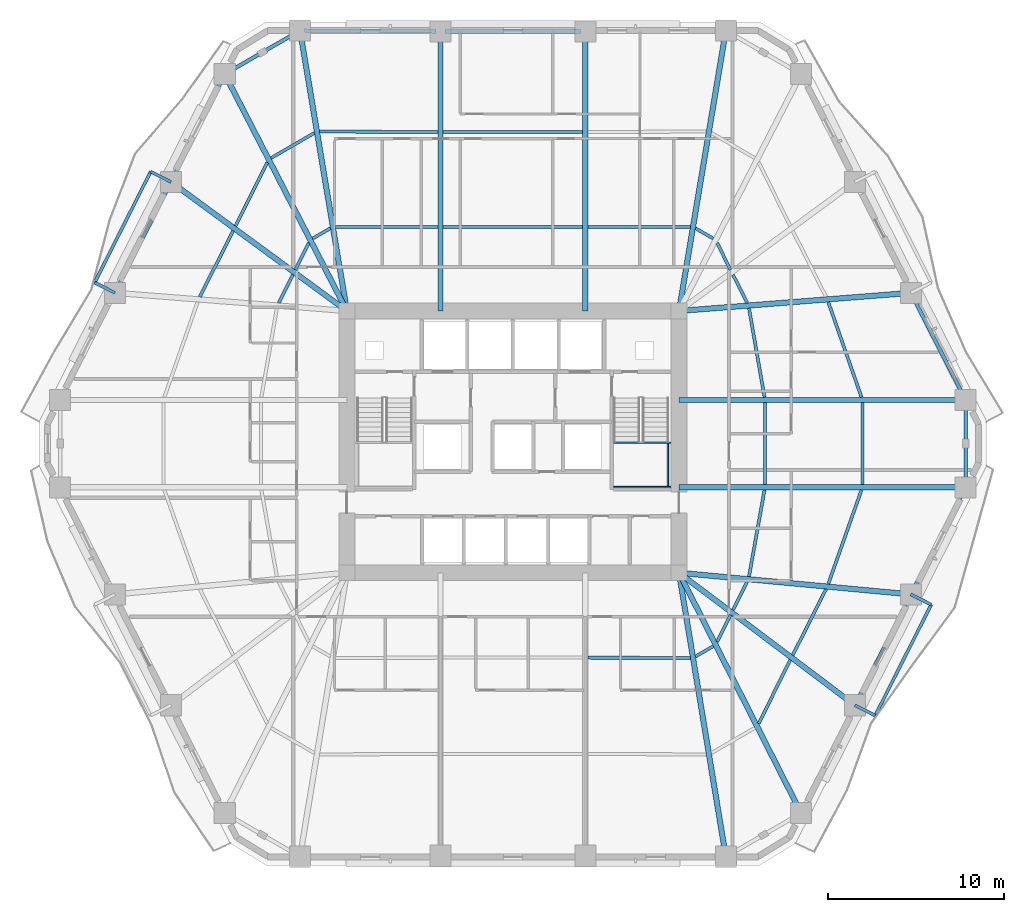
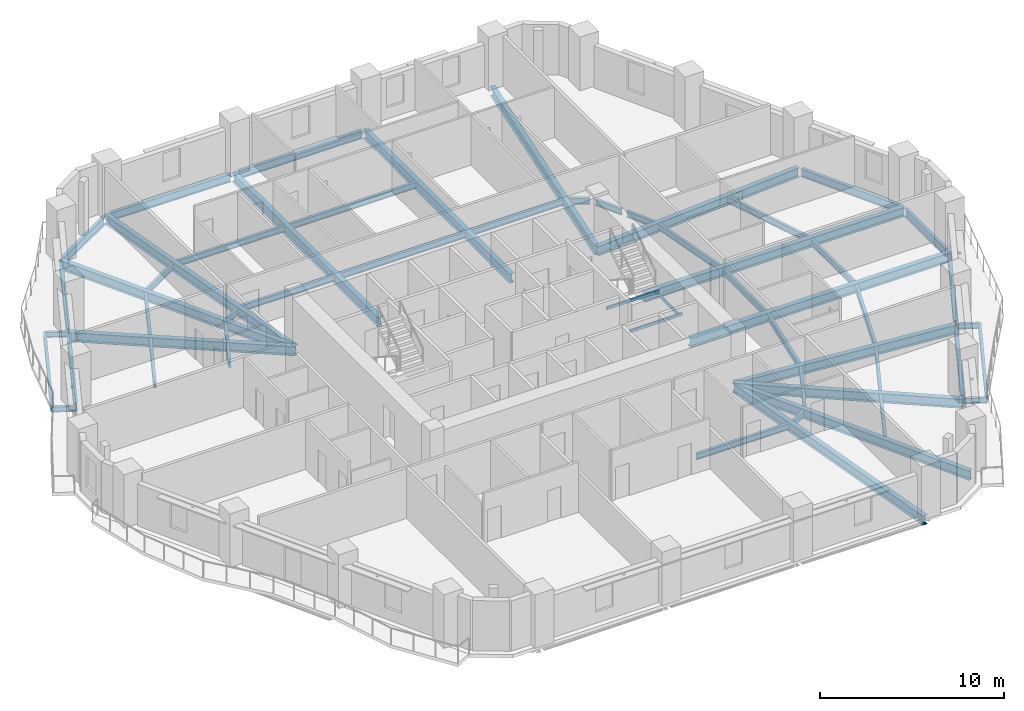
# One storey, part 2 of 14: 57 beams.
"""IFC4 building model written with IfcOpenShell, lengths in metres."""

from ifc_helpers import new_model, si_unit, direction, frame, origin, origin_2d, place, context, subcontext, project, spatial, hollow_rectangle, i_section, extrude, material, material_profile, profile_set, type_object, element, save


model = new_model("IFC4")

# Units and contexts
model_context = context("Model", 3, precision=1e-05, world=origin(), true_north=direction((0.0, 1.0)))
body_context = subcontext(model_context, "Body", "Model", "MODEL_VIEW")
ifc_project = project(units=[si_unit("LENGTHUNIT", "METRE"), si_unit("AREAUNIT", "SQUARE_METRE"), si_unit("VOLUMEUNIT", "CUBIC_METRE"), si_unit("PLANEANGLEUNIT", "RADIAN"), si_unit("MASSUNIT", "GRAM", prefix="KILO")], contexts=[model_context])

# Site, building, storey
site_placement = place(None, origin())
site = spatial("IfcSite", under=ifc_project, at=site_placement, CompositionType="ELEMENT")
building_placement = place(site_placement, origin())
building = spatial("IfcBuilding", under=site, at=building_placement, Name="Cinnabar Lancet Tower", CompositionType="ELEMENT")
storey_placement = place(building_placement, frame((0.0, 0.0, 39.10009765625)))
storey = spatial("IfcBuildingStorey", under=building, at=storey_placement, Name="L09", CompositionType="ELEMENT", Elevation=39.10009765625)

# Beams
ifc_material_1 = material(Name="Structural steel S355", Category="steel")
ifc_material_profile_1 = material_profile(ifc_material_1, i_section(OverallWidth=0.177978515625, OverallDepth=0.406494140625, WebThickness=0.0078125, FlangeThickness=0.0126953125, FilletRadius=0.01025390625, at=origin_2d()), Name="UKB 406x178x60")
ifc_profile_set_1 = profile_set([ifc_material_profile_1], Name="Structural steel S355")
beam_type_1 = type_object("IfcBeamType", Name="STR-BM-JST-406", PredefinedType="JOIST", material=ifc_profile_set_1)
beam_1_placement = place(storey_placement, frame((36.676025390625, 13.616943359375, -0.423095703125), z_axis=(0.999996723732, -0.002559790187, 0.0), x_axis=(0.002559790187, 0.999996723732, 0.0)))
element("IfcBeam", 1, at=beam_1_placement, inside=storey, type_object=beam_type_1, Name="L09 Secondary Floor Joist 14", PredefinedType="JOIST", context=body_context, shape_type="SweptSolid", body=[
    extrude(i_section(OverallWidth=0.177978515625, OverallDepth=0.406494140625, WebThickness=0.0078125, FlangeThickness=0.0126953125, FilletRadius=0.01025390625, at=origin_2d()), origin(), (0.0, 0.0, 1.0), 5.81787109375),
])
beam_2_placement = place(storey_placement, frame((42.7919921875, 13.68408203125, -0.423095703125), z_axis=(0.865192550274, 0.50143977799, 0.0), x_axis=(-0.50143977799, 0.865192550274, 0.0)))
element("IfcBeam", 2, at=beam_2_placement, inside=storey, type_object=beam_type_1, Name="L09 Secondary Floor Joist 16", PredefinedType="JOIST", context=body_context, shape_type="SweptSolid", body=[
    extrude(i_section(OverallWidth=0.177978515625, OverallDepth=0.406494140625, WebThickness=0.0078125, FlangeThickness=0.0126953125, FilletRadius=0.01025390625, at=origin_2d()), origin(), (0.0, 0.0, 1.0), 1.16845703125),
])
beam_3_placement = place(storey_placement, frame((46.385009765625, 9.867919921875, -0.423095703125), z_axis=(0.445835127839, 0.895115098065, 0.0), x_axis=(-0.895115098065, 0.445835127839, 0.0)))
element("IfcBeam", 3, at=beam_3_placement, inside=storey, type_object=beam_type_1, Name="L09 Secondary Floor Joist 17", PredefinedType="JOIST", context=body_context, shape_type="SweptSolid", body=[
    extrude(i_section(OverallWidth=0.177978515625, OverallDepth=0.406494140625, WebThickness=0.0078125, FlangeThickness=0.0126953125, FilletRadius=0.01025390625, at=origin_2d()), origin(), (0.0, 0.0, 1.0), 4.03955078125),
])
beam_4_placement = place(storey_placement, frame((44.02099609375, 14.51806640625, -0.423095703125), z_axis=(0.44578468599, 0.895140220154, 0.0), x_axis=(-0.895140220154, 0.44578468599, 0.0)))
element("IfcBeam", 4, at=beam_4_placement, inside=storey, type_object=beam_type_1, Name="L09 Secondary Floor Joist 18", PredefinedType="JOIST", context=body_context, shape_type="SweptSolid", body=[
    extrude(i_section(OverallWidth=0.177978515625, OverallDepth=0.406494140625, WebThickness=0.0078125, FlangeThickness=0.0126953125, FilletRadius=0.01025390625, at=origin_2d()), origin(), (0.0, 0.0, 1.0), 1.709228515625),
])
beam_5_placement = place(storey_placement, frame((48.325927734375, 13.762939453125, -0.423095703125), z_axis=(0.450717414682, 0.892666685893, 0.0), x_axis=(-0.892666685893, 0.450717414682, 0.0)))
element("IfcBeam", 5, at=beam_5_placement, inside=storey, type_object=beam_type_1, Name="L09 Secondary Floor Joist 19", PredefinedType="JOIST", context=body_context, shape_type="SweptSolid", body=[
    extrude(i_section(OverallWidth=0.177978515625, OverallDepth=0.406494140625, WebThickness=0.0078125, FlangeThickness=0.0126953125, FilletRadius=0.01025390625, at=origin_2d()), origin(), (0.0, 0.0, 1.0), 4.204345703125),
])
beam_6_placement = place(storey_placement, frame((44.923095703125, 16.326904296875, -0.423095703125), z_axis=(0.450411488104, 0.892821085875, 0.0), x_axis=(-0.892821085875, 0.450411488104, 0.0)))
element("IfcBeam", 6, at=beam_6_placement, inside=storey, type_object=beam_type_1, Name="L09 Secondary Floor Joist 20", PredefinedType="JOIST", context=body_context, shape_type="SweptSolid", body=[
    extrude(i_section(OverallWidth=0.177978515625, OverallDepth=0.406494140625, WebThickness=0.0078125, FlangeThickness=0.0126953125, FilletRadius=0.01025390625, at=origin_2d()), origin(), (0.0, 0.0, 1.0), 1.800048828125),
])
beam_7_placement = place(storey_placement, frame((50.347900390625, 17.81201171875, -0.423095703125), z_axis=(0.333387390151, 0.942789927867, 0.0), x_axis=(-0.942789927867, 0.333387390151, 0.0)))
element("IfcBeam", 7, at=beam_7_placement, inside=storey, type_object=beam_type_1, Name="L09 Secondary Floor Joist 21", PredefinedType="JOIST", context=body_context, shape_type="SweptSolid", body=[
    extrude(i_section(OverallWidth=0.177978515625, OverallDepth=0.406494140625, WebThickness=0.0078125, FlangeThickness=0.0126953125, FilletRadius=0.01025390625, at=origin_2d()), origin(), (0.0, 0.0, 1.0), 5.67236328125),
])
beam_8_placement = place(storey_placement, frame((45.8359375, 18.23291015625, -0.423095703125), z_axis=(0.176227857104, 0.984349400559, 0.0), x_axis=(-0.984349400559, 0.176227857104, 0.0)))
element("IfcBeam", 8, at=beam_8_placement, inside=storey, type_object=beam_type_1, Name="L09 Secondary Floor Joist 22", PredefinedType="JOIST", context=body_context, shape_type="SweptSolid", body=[
    extrude(i_section(OverallWidth=0.177978515625, OverallDepth=0.406494140625, WebThickness=0.0078125, FlangeThickness=0.0126953125, FilletRadius=0.01025390625, at=origin_2d()), origin(), (0.0, 0.0, 1.0), 5.00537109375),
])
for number, where, z_axis, x_axis, name in (
    (9, (52.2939453125, 23.468017578125, -0.423095703125), (0.0, 1.0, 0.0), (-1.0, 0.0, 0.0), "L09 Secondary Floor Joist 23"),
    (10, (46.7451171875, 23.468017578125, -0.423095703125), (0.0, 1.0, 0.0), (-1.0, 0.0, 0.0), "L09 Secondary Floor Joist 24"),
):
    element("IfcBeam", number, at=place(storey_placement, frame(where, z_axis=z_axis, x_axis=x_axis)), inside=storey, type_object=beam_type_1, Name=name, PredefinedType="JOIST", context=body_context, shape_type="SweptSolid", body=[
        extrude(i_section(OverallWidth=0.177978515625, OverallDepth=0.406494140625, WebThickness=0.0078125, FlangeThickness=0.0126953125, FilletRadius=0.01025390625, at=origin_2d()), origin(), (0.0, 0.0, 1.0), 4.6640625),
    ])
beam_9_placement = place(storey_placement, frame((52.239990234375, 28.43994140625, -0.423095703125), z_axis=(-0.329645522599, 0.944104776723, 0.0), x_axis=(-0.944104776723, -0.329645522599, 0.0)))
element("IfcBeam", 11, at=beam_9_placement, inside=storey, type_object=beam_type_1, Name="L09 Secondary Floor Joist 25", PredefinedType="JOIST", context=body_context, shape_type="SweptSolid", body=[
    extrude(i_section(OverallWidth=0.177978515625, OverallDepth=0.406494140625, WebThickness=0.0078125, FlangeThickness=0.0126953125, FilletRadius=0.01025390625, at=origin_2d()), origin(), (0.0, 0.0, 1.0), 5.73974609375),
])
beam_10_placement = place(storey_placement, frame((46.718994140625, 28.43994140625, -0.423095703125), z_axis=(-0.171867959611, 0.985119994954, 0.0), x_axis=(-0.985119994954, -0.171867959611, 0.0)))
element("IfcBeam", 12, at=beam_10_placement, inside=storey, type_object=beam_type_1, Name="L09 Secondary Floor Joist 26", PredefinedType="JOIST", context=body_context, shape_type="SweptSolid", body=[
    extrude(i_section(OverallWidth=0.177978515625, OverallDepth=0.406494140625, WebThickness=0.0078125, FlangeThickness=0.0126953125, FilletRadius=0.01025390625, at=origin_2d()), origin(), (0.0, 0.0, 1.0), 5.1435546875),
])
beam_11_placement = place(storey_placement, frame((45.73388671875, 33.806884765625, -0.423095703125), z_axis=(-0.450629740029, 0.892710948405, 0.0), x_axis=(-0.892710948405, -0.450629740029, 0.0)))
element("IfcBeam", 13, at=beam_11_placement, inside=storey, type_object=beam_type_1, Name="L09 Secondary Floor Joist 28", PredefinedType="JOIST", context=body_context, shape_type="SweptSolid", body=[
    extrude(i_section(OverallWidth=0.177978515625, OverallDepth=0.406494140625, WebThickness=0.0078125, FlangeThickness=0.0126953125, FilletRadius=0.01025390625, at=origin_2d()), origin(), (0.0, 0.0, 1.0), 1.79931640625),
])
beam_12_placement = place(storey_placement, frame((44.782958984375, 35.69189453125, -0.423095703125), z_axis=(-0.445556802404, 0.895253671219, 0.0), x_axis=(-0.895253671219, -0.445556802404, 0.0)))
element("IfcBeam", 14, at=beam_12_placement, inside=storey, type_object=beam_type_1, Name="L09 Secondary Floor Joist 30", PredefinedType="JOIST", context=body_context, shape_type="SweptSolid", body=[
    extrude(i_section(OverallWidth=0.177978515625, OverallDepth=0.406494140625, WebThickness=0.0078125, FlangeThickness=0.0126953125, FilletRadius=0.01025390625, at=origin_2d()), origin(), (0.0, 0.0, 1.0), 1.710205078125),
])
beam_13_placement = place(storey_placement, frame((43.802978515625, 37.469970703125, -0.423095703125), z_axis=(-0.865192550274, 0.50143977799, 0.0), x_axis=(-0.50143977799, -0.865192550274, 0.0)))
element("IfcBeam", 15, at=beam_13_placement, inside=storey, type_object=beam_type_1, Name="L09 Secondary Floor Joist 32", PredefinedType="JOIST", context=body_context, shape_type="SweptSolid", body=[
    extrude(i_section(OverallWidth=0.177978515625, OverallDepth=0.406494140625, WebThickness=0.0078125, FlangeThickness=0.0126953125, FilletRadius=0.01025390625, at=origin_2d()), origin(), (0.0, 0.0, 1.0), 1.16845703125),
])
beam_14_placement = place(storey_placement, frame((42.493896484375, 38.137939453125, -0.423095703125), z_axis=(-0.999996723732, -0.002559790187, 0.0), x_axis=(0.002559790187, -0.999996723732, 0.0)))
element("IfcBeam", 16, at=beam_14_placement, inside=storey, type_object=beam_type_1, Name="L09 Secondary Floor Joist 34", PredefinedType="JOIST", context=body_context, shape_type="SweptSolid", body=[
    extrude(i_section(OverallWidth=0.177978515625, OverallDepth=0.406494140625, WebThickness=0.0078125, FlangeThickness=0.0126953125, FilletRadius=0.01025390625, at=origin_2d()), origin(), (0.0, 0.0, 1.0), 5.81787109375),
])
for number, where, z_axis, x_axis, name in (
    (17, (36.367919921875, 43.531005859375, -0.423095703125), (-1.0, 0.0, 0.0), (0.0, -1.0, 0.0), "L09 Secondary Floor Joist 35"),
    (18, (36.367919921875, 38.1220703125, -0.423095703125), (-1.0, 0.0, 0.0), (0.0, -1.0, 0.0), "L09 Secondary Floor Joist 36"),
):
    element("IfcBeam", number, at=place(storey_placement, frame(where, z_axis=z_axis, x_axis=x_axis)), inside=storey, type_object=beam_type_1, Name=name, PredefinedType="JOIST", context=body_context, shape_type="SweptSolid", body=[
        extrude(i_section(OverallWidth=0.177978515625, OverallDepth=0.406494140625, WebThickness=0.0078125, FlangeThickness=0.0126953125, FilletRadius=0.01025390625, at=origin_2d()), origin(), (0.0, 0.0, 1.0), 7.93603515625),
    ])
beam_15_placement = place(storey_placement, frame((28.1240234375, 43.531982421875, -0.423095703125), z_axis=(-0.999988691939, 0.004755627628, 0.0), x_axis=(-0.004755627628, -0.999988691939, 0.0)))
element("IfcBeam", 19, at=beam_15_placement, inside=storey, type_object=beam_type_1, Name="L09 Secondary Floor Joist 37", PredefinedType="JOIST", context=body_context, shape_type="SweptSolid", body=[
    extrude(i_section(OverallWidth=0.177978515625, OverallDepth=0.406494140625, WebThickness=0.0078125, FlangeThickness=0.0126953125, FilletRadius=0.01025390625, at=origin_2d()), origin(), (0.0, 0.0, 1.0), 6.72509765625),
])
beam_16_placement = place(storey_placement, frame((28.1240234375, 38.123046875, -0.423095703125), z_axis=(-0.999996724007, 0.002559682773, 0.0), x_axis=(-0.002559682773, -0.999996724007, 0.0)))
element("IfcBeam", 20, at=beam_16_placement, inside=storey, type_object=beam_type_1, Name="L09 Secondary Floor Joist 38", PredefinedType="JOIST", context=body_context, shape_type="SweptSolid", body=[
    extrude(i_section(OverallWidth=0.177978515625, OverallDepth=0.406494140625, WebThickness=0.0078125, FlangeThickness=0.0126953125, FilletRadius=0.01025390625, at=origin_2d()), origin(), (0.0, 0.0, 1.0), 5.818115234375),
])
beam_17_placement = place(storey_placement, frame((21.10107421875, 43.48291015625, -0.423095703125), z_axis=(-0.865113631149, -0.50157592167, 0.0), x_axis=(0.50157592167, -0.865113631149, 0.0)))
element("IfcBeam", 21, at=beam_17_placement, inside=storey, type_object=beam_type_1, Name="L09 Secondary Floor Joist 39", PredefinedType="JOIST", context=body_context, shape_type="SweptSolid", body=[
    extrude(i_section(OverallWidth=0.177978515625, OverallDepth=0.406494140625, WebThickness=0.0078125, FlangeThickness=0.0126953125, FilletRadius=0.01025390625, at=origin_2d()), origin(), (0.0, 0.0, 1.0), 2.852783203125),
])
beam_18_placement = place(storey_placement, frame((22.008056640625, 38.055908203125, -0.423095703125), z_axis=(-0.865192550274, -0.50143977799, 0.0), x_axis=(0.50143977799, -0.865192550274, 0.0)))
element("IfcBeam", 22, at=beam_18_placement, inside=storey, type_object=beam_type_1, Name="L09 Secondary Floor Joist 40", PredefinedType="JOIST", context=body_context, shape_type="SweptSolid", body=[
    extrude(i_section(OverallWidth=0.177978515625, OverallDepth=0.406494140625, WebThickness=0.0078125, FlangeThickness=0.0126953125, FilletRadius=0.01025390625, at=origin_2d()), origin(), (0.0, 0.0, 1.0), 1.16845703125),
])
beam_19_placement = place(storey_placement, frame((18.4150390625, 41.804931640625, -0.423095703125), z_axis=(-0.445738672706, -0.895163133543, 0.0), x_axis=(0.895163133543, -0.445738672706, 0.0)))
element("IfcBeam", 23, at=beam_19_placement, inside=storey, type_object=beam_type_1, Name="L09 Secondary Floor Joist 41", PredefinedType="JOIST", context=body_context, shape_type="SweptSolid", body=[
    extrude(i_section(OverallWidth=0.177978515625, OverallDepth=0.406494140625, WebThickness=0.0078125, FlangeThickness=0.0126953125, FilletRadius=0.01025390625, at=origin_2d()), origin(), (0.0, 0.0, 1.0), 4.04052734375),
])
beam_20_placement = place(storey_placement, frame((20.779052734375, 37.222900390625, -0.423095703125), z_axis=(-0.445556802404, -0.895253671219, 0.0), x_axis=(0.895253671219, -0.445556802404, 0.0)))
element("IfcBeam", 24, at=beam_20_placement, inside=storey, type_object=beam_type_1, Name="L09 Secondary Floor Joist 42", PredefinedType="JOIST", context=body_context, shape_type="SweptSolid", body=[
    extrude(i_section(OverallWidth=0.177978515625, OverallDepth=0.406494140625, WebThickness=0.0078125, FlangeThickness=0.0126953125, FilletRadius=0.01025390625, at=origin_2d()), origin(), (0.0, 0.0, 1.0), 1.710205078125),
])
beam_21_placement = place(storey_placement, frame((16.47412109375, 37.908935546875, -0.423095703125), z_axis=(-0.450834254961, -0.89260768233, 0.0), x_axis=(0.89260768233, -0.450834254961, 0.0)))
element("IfcBeam", 25, at=beam_21_placement, inside=storey, type_object=beam_type_1, Name="L09 Secondary Floor Joist 43", PredefinedType="JOIST", context=body_context, shape_type="SweptSolid", body=[
    extrude(i_section(OverallWidth=0.177978515625, OverallDepth=0.406494140625, WebThickness=0.0078125, FlangeThickness=0.0126953125, FilletRadius=0.01025390625, at=origin_2d()), origin(), (0.0, 0.0, 1.0), 4.203369140625),
])
beam_22_placement = place(storey_placement, frame((19.876953125, 35.4130859375, -0.423095703125), z_axis=(-0.450737866707, -0.892656359142, 0.0), x_axis=(0.892656359142, -0.450737866707, 0.0)))
element("IfcBeam", 26, at=beam_22_placement, inside=storey, type_object=beam_type_1, Name="L09 Secondary Floor Joist 44", PredefinedType="JOIST", context=body_context, shape_type="SweptSolid", body=[
    extrude(i_section(OverallWidth=0.177978515625, OverallDepth=0.406494140625, WebThickness=0.0078125, FlangeThickness=0.0126953125, FilletRadius=0.01025390625, at=origin_2d()), origin(), (0.0, 0.0, 1.0), 1.79931640625),
])
ifc_material_2 = material(Name="Structural steel S355", Category="steel")
ifc_material_profile_2 = material_profile(ifc_material_2, hollow_rectangle(XDim=0.10009765625, YDim=0.199951171875, WallThickness=0.008056640625, InnerFilletRadius=0.00390625, OuterFilletRadius=0.011962890625, at=origin_2d()), Name="RHS 200x100x8")
ifc_profile_set_2 = profile_set([ifc_material_profile_2], Name="Structural steel S355")
beam_type_2 = type_object("IfcBeamType", Name="STR-BM-LND-203", PredefinedType="BEAM", material=ifc_profile_set_2)
for number, where, z_axis, x_axis, name in (
    (27, (38.1201171875, 23.330078125, 1.474853515625), (1.0, 0.0, 0.0), (0.0, 1.0, 0.0), "L09 ST-2-L09 Landing Support Beam S"),
    (28, (38.1201171875, 25.844970703125, 1.474853515625), (1.0, 0.0, 0.0), (0.0, 1.0, 0.0), "L09 ST-2-L09 Landing Support Beam N"),
):
    element("IfcBeam", number, at=place(storey_placement, frame(where, z_axis=z_axis, x_axis=x_axis)), inside=storey, type_object=beam_type_2, Name=name, PredefinedType="BEAM", context=body_context, shape_type="SweptSolid", body=[
        extrude(hollow_rectangle(XDim=0.10009765625, YDim=0.199951171875, WallThickness=0.008056640625, InnerFilletRadius=0.00390625, OuterFilletRadius=0.011962890625, at=origin_2d()), origin(), (0.0, 0.0, 1.0), 3.27978515625),
    ])
beam_23_placement = place(storey_placement, frame((41.219970703125, 23.3798828125, 1.474853515625), z_axis=(0.0, 1.0, 0.0), x_axis=(-1.0, 0.0, 0.0)))
element("IfcBeam", 29, at=beam_23_placement, inside=storey, type_object=beam_type_2, Name="L09 ST-2-L09 Landing Side Trimmer Beam", PredefinedType="BEAM", context=body_context, shape_type="SweptSolid", body=[
    extrude(hollow_rectangle(XDim=0.10009765625, YDim=0.199951171875, WallThickness=0.008056640625, InnerFilletRadius=0.00390625, OuterFilletRadius=0.011962890625, at=origin_2d()), origin(), (0.0, 0.0, 1.0), 2.4150390625),
])
ifc_material_3 = material(Name="Structural steel S355", Category="steel")
ifc_material_profile_3 = material_profile(ifc_material_3, i_section(OverallWidth=0.209228515625, OverallDepth=0.533203125, WebThickness=0.010009765625, FlangeThickness=0.015625, FilletRadius=0.0126953125, at=origin_2d()), Name="UKB 533x210x92")
ifc_profile_set_3 = profile_set([ifc_material_profile_3], Name="Structural steel S355")
beam_type_3 = type_object("IfcBeamType", Name="STR-BM-SPN-533", PredefinedType="SPANDREL", material=ifc_profile_set_3)
beam_24_placement = place(storey_placement, frame((51.971923828125, 11.132080078125, -0.487060546875), z_axis=(0.450703143926, 0.892673891214, 0.0), x_axis=(-0.892673891214, 0.450703143926, 0.0)))
element("IfcBeam", 30, at=beam_24_placement, inside=storey, type_object=beam_type_3, Name="L09 Perimeter Spandrel 6", PredefinedType="SPANDREL", context=body_context, shape_type="SweptSolid", body=[
    extrude(i_section(OverallWidth=0.209228515625, OverallDepth=0.533203125, WebThickness=0.010009765625, FlangeThickness=0.015625, FilletRadius=0.0126953125, at=origin_2d()), origin(), (0.0, 0.0, 1.0), 6.570068359375),
])
beam_25_placement = place(storey_placement, frame((55.159912109375, 17.443115234375, -0.487060546875), z_axis=(0.456024522632, 0.889967209934, 0.0), x_axis=(-0.889967209934, 0.456024522632, 0.0)))
element("IfcBeam", 31, at=beam_25_placement, inside=storey, type_object=beam_type_3, Name="L09 Perimeter Spandrel 7", PredefinedType="SPANDREL", context=body_context, shape_type="SweptSolid", body=[
    extrude(i_section(OverallWidth=0.209228515625, OverallDepth=0.533203125, WebThickness=0.010009765625, FlangeThickness=0.015625, FilletRadius=0.0126953125, at=origin_2d()), origin(), (0.0, 0.0, 1.0), 6.34619140625),
])
beam_26_placement = place(storey_placement, frame((58.16796875, 23.56396484375, -0.487060546875), z_axis=(0.0, 1.0, 0.0), x_axis=(-1.0, 0.0, 0.0)))
element("IfcBeam", 32, at=beam_26_placement, inside=storey, type_object=beam_type_3, Name="L09 Perimeter Spandrel 8", PredefinedType="SPANDREL", context=body_context, shape_type="SweptSolid", body=[
    extrude(i_section(OverallWidth=0.209228515625, OverallDepth=0.533203125, WebThickness=0.010009765625, FlangeThickness=0.015625, FilletRadius=0.0126953125, at=origin_2d()), origin(), (0.0, 0.0, 1.0), 4.471923828125),
])
beam_27_placement = place(storey_placement, frame((58.053955078125, 28.509033203125, -0.487060546875), z_axis=(-0.456024522632, 0.889967209934, 0.0), x_axis=(-0.889967209934, -0.456024522632, 0.0)))
element("IfcBeam", 33, at=beam_27_placement, inside=storey, type_object=beam_type_3, Name="L09 Perimeter Spandrel 9", PredefinedType="SPANDREL", context=body_context, shape_type="SweptSolid", body=[
    extrude(i_section(OverallWidth=0.209228515625, OverallDepth=0.533203125, WebThickness=0.010009765625, FlangeThickness=0.015625, FilletRadius=0.0126953125, at=origin_2d()), origin(), (0.0, 0.0, 1.0), 6.34619140625),
])
beam_28_placement = place(storey_placement, frame((36.27197265625, 49.258056640625, -0.487060546875), z_axis=(-1.0, 0.0, 0.0), x_axis=(0.0, -1.0, 0.0)))
element("IfcBeam", 34, at=beam_28_placement, inside=storey, type_object=beam_type_3, Name="L09 Perimeter Spandrel 14", PredefinedType="SPANDREL", context=body_context, shape_type="SweptSolid", body=[
    extrude(i_section(OverallWidth=0.209228515625, OverallDepth=0.533203125, WebThickness=0.010009765625, FlangeThickness=0.015625, FilletRadius=0.0126953125, at=origin_2d()), origin(), (0.0, 0.0, 1.0), 7.743896484375),
])
beam_29_placement = place(storey_placement, frame((28.028076171875, 49.260009765625, -0.487060546875), z_axis=(-0.99997856757, 0.006547090947, 0.0), x_axis=(-0.006547090947, -0.99997856757, 0.0)))
element("IfcBeam", 35, at=beam_29_placement, inside=storey, type_object=beam_type_3, Name="L09 Perimeter Spandrel 15", PredefinedType="SPANDREL", context=body_context, shape_type="SweptSolid", body=[
    extrude(i_section(OverallWidth=0.209228515625, OverallDepth=0.533203125, WebThickness=0.010009765625, FlangeThickness=0.015625, FilletRadius=0.0126953125, at=origin_2d()), origin(), (0.0, 0.0, 1.0), 7.495361328125),
])
beam_30_placement = place(storey_placement, frame((20.06689453125, 49.18603515625, -0.487060546875), z_axis=(-0.865147238596, -0.501517951374, 0.0), x_axis=(0.501517951374, -0.865147238596, 0.0)))
element("IfcBeam", 36, at=beam_30_placement, inside=storey, type_object=beam_type_3, Name="L09 Perimeter Spandrel 16", PredefinedType="SPANDREL", context=body_context, shape_type="SweptSolid", body=[
    extrude(i_section(OverallWidth=0.209228515625, OverallDepth=0.533203125, WebThickness=0.010009765625, FlangeThickness=0.015625, FilletRadius=0.0126953125, at=origin_2d()), origin(), (0.0, 0.0, 1.0), 4.454833984375),
])
beam_31_placement = place(storey_placement, frame((15.885986328125, 46.60302734375, -0.487060546875), z_axis=(-0.445953050023, -0.89505635419, 0.0), x_axis=(0.89505635419, -0.445953050023, 0.0)))
element("IfcBeam", 37, at=beam_31_placement, inside=storey, type_object=beam_type_3, Name="L09 Perimeter Spandrel 17", PredefinedType="SPANDREL", context=body_context, shape_type="SweptSolid", body=[
    extrude(i_section(OverallWidth=0.209228515625, OverallDepth=0.533203125, WebThickness=0.010009765625, FlangeThickness=0.015625, FilletRadius=0.0126953125, at=origin_2d()), origin(), (0.0, 0.0, 1.0), 6.35498046875),
])
beam_32_placement = place(storey_placement, frame((12.827880859375, 40.468017578125, -0.487060546875), z_axis=(-0.450673532306, -0.892688841242, 0.0), x_axis=(0.892688841242, -0.450673532306, 0.0)))
element("IfcBeam", 38, at=beam_32_placement, inside=storey, type_object=beam_type_3, Name="L09 Perimeter Spandrel 18", PredefinedType="SPANDREL", context=body_context, shape_type="SweptSolid", body=[
    extrude(i_section(OverallWidth=0.209228515625, OverallDepth=0.533203125, WebThickness=0.010009765625, FlangeThickness=0.015625, FilletRadius=0.0126953125, at=origin_2d()), origin(), (0.0, 0.0, 1.0), 6.570068359375),
])
ifc_material_4 = material(Name="Structural steel S355", Category="steel")
ifc_material_profile_4 = material_profile(ifc_material_4, i_section(OverallWidth=0.30712890625, OverallDepth=0.6201171875, WebThickness=0.01416015625, FlangeThickness=0.023681640625, FilletRadius=0.0166015625, at=origin_2d()), Name="UKB 610x305x179")
ifc_profile_set_4 = profile_set([ifc_material_profile_4], Name="Structural steel S355")
beam_type_4 = type_object("IfcBeamType", Name="STR-BM-UKB610-179", PredefinedType="BEAM", material=ifc_profile_set_4)
beam_33_placement = place(storey_placement, frame((51.85888671875, 10.908935546875, -0.530029296875), z_axis=(-0.798679534026, 0.601756596912, 0.0), x_axis=(-0.601756596912, -0.798679534026, 0.0)))
element("IfcBeam", 39, at=beam_33_placement, inside=storey, type_object=beam_type_4, Name="L09 Corner Collector Girder 2", PredefinedType="BEAM", context=body_context, shape_type="SweptSolid", body=[
    extrude(i_section(OverallWidth=0.30712890625, OverallDepth=0.6201171875, WebThickness=0.01416015625, FlangeThickness=0.023681640625, FilletRadius=0.0166015625, at=origin_2d()), origin(), (0.0, 0.0, 1.0), 12.53173828125),
])
beam_34_placement = place(storey_placement, frame((12.94091796875, 40.69091796875, -0.530029296875), z_axis=(0.806371852816, -0.591408856026, 0.0), x_axis=(0.591408856026, 0.806371852816, 0.0)))
element("IfcBeam", 40, at=beam_34_placement, inside=storey, type_object=beam_type_4, Name="L09 Corner Collector Girder 4", PredefinedType="BEAM", context=body_context, shape_type="SweptSolid", body=[
    extrude(i_section(OverallWidth=0.30712890625, OverallDepth=0.6201171875, WebThickness=0.01416015625, FlangeThickness=0.023681640625, FilletRadius=0.0166015625, at=origin_2d()), origin(), (0.0, 0.0, 1.0), 12.412353515625),
])
beam_35_placement = place(storey_placement, frame((44.51708984375, 2.2890625, -0.530029296875), z_axis=(-0.162825264118, 0.986654921117, 0.0), x_axis=(-0.986654921117, -0.162825264118, 0.0)))
element("IfcBeam", 41, at=beam_35_placement, inside=storey, type_object=beam_type_4, Name="L09 Primary Floor Girder 4", PredefinedType="BEAM", context=body_context, shape_type="SweptSolid", body=[
    extrude(i_section(OverallWidth=0.30712890625, OverallDepth=0.6201171875, WebThickness=0.01416015625, FlangeThickness=0.023681640625, FilletRadius=0.0166015625, at=origin_2d()), origin(), (0.0, 0.0, 1.0), 16.37939453125),
])
beam_36_placement = place(storey_placement, frame((48.802978515625, 4.77294921875, -0.530029296875), z_axis=(-0.453167599586, 0.89142533433, 0.0), x_axis=(-0.89142533433, -0.453167599586, 0.0)))
element("IfcBeam", 42, at=beam_36_placement, inside=storey, type_object=beam_type_4, Name="L09 Primary Floor Girder 5", PredefinedType="BEAM", context=body_context, shape_type="SweptSolid", body=[
    extrude(i_section(OverallWidth=0.30712890625, OverallDepth=0.6201171875, WebThickness=0.01416015625, FlangeThickness=0.023681640625, FilletRadius=0.0166015625, at=origin_2d()), origin(), (0.0, 0.0, 1.0), 15.3427734375),
])
beam_37_placement = place(storey_placement, frame((55.0458984375, 17.219970703125, -0.530029296875), z_axis=(-0.99568405159, 0.092807701238, 0.0), x_axis=(-0.092807701238, -0.99568405159, 0.0)))
element("IfcBeam", 43, at=beam_37_placement, inside=storey, type_object=beam_type_4, Name="L09 Primary Floor Girder 7", PredefinedType="BEAM", context=body_context, shape_type="SweptSolid", body=[
    extrude(i_section(OverallWidth=0.30712890625, OverallDepth=0.6201171875, WebThickness=0.01416015625, FlangeThickness=0.023681640625, FilletRadius=0.0166015625, at=origin_2d()), origin(), (0.0, 0.0, 1.0), 13.2529296875),
])
for number, where, z_axis, x_axis, name in (
    (44, (58.16796875, 23.31396484375, -0.530029296875), (-1.0, 0.0, 0.0), (0.0, -1.0, 0.0), "L09 Primary Floor Girder 8"),
    (45, (58.16796875, 28.285888671875, -0.530029296875), (-1.0, 0.0, 0.0), (0.0, -1.0, 0.0), "L09 Primary Floor Girder 9"),
):
    element("IfcBeam", number, at=place(storey_placement, frame(where, z_axis=z_axis, x_axis=x_axis)), inside=storey, type_object=beam_type_4, Name=name, PredefinedType="BEAM", context=body_context, shape_type="SweptSolid", body=[
        extrude(i_section(OverallWidth=0.30712890625, OverallDepth=0.6201171875, WebThickness=0.01416015625, FlangeThickness=0.023681640625, FilletRadius=0.0166015625, at=origin_2d()), origin(), (0.0, 0.0, 1.0), 16.31787109375),
    ])
beam_38_placement = place(storey_placement, frame((55.0458984375, 34.3798828125, -0.530029296875), z_axis=(-0.99696880683, -0.077802302076, 0.0), x_axis=(0.077802302076, -0.99696880683, 0.0)))
element("IfcBeam", 46, at=beam_38_placement, inside=storey, type_object=beam_type_4, Name="L09 Primary Floor Girder 10", PredefinedType="BEAM", context=body_context, shape_type="SweptSolid", body=[
    extrude(i_section(OverallWidth=0.30712890625, OverallDepth=0.6201171875, WebThickness=0.01416015625, FlangeThickness=0.023681640625, FilletRadius=0.0166015625, at=origin_2d()), origin(), (0.0, 0.0, 1.0), 13.23583984375),
])
beam_39_placement = place(storey_placement, frame((44.51708984375, 49.31103515625, -0.530029296875), z_axis=(-0.164809990854, -0.986325335229, 0.0), x_axis=(0.986325335229, -0.164809990854, 0.0)))
element("IfcBeam", 47, at=beam_39_placement, inside=storey, type_object=beam_type_4, Name="L09 Primary Floor Girder 13", PredefinedType="BEAM", context=body_context, shape_type="SweptSolid", body=[
    extrude(i_section(OverallWidth=0.30712890625, OverallDepth=0.6201171875, WebThickness=0.01416015625, FlangeThickness=0.023681640625, FilletRadius=0.0166015625, at=origin_2d()), origin(), (0.0, 0.0, 1.0), 16.18212890625),
])
for number, where, z_axis, x_axis, name in (
    (48, (36.52197265625, 49.258056640625, -0.530029296875), (0.0, -1.0, 0.0), (1.0, 0.0, 0.0), "L09 Primary Floor Girder 14"),
    (49, (28.278076171875, 49.258056640625, -0.530029296875), (0.0, -1.0, 0.0), (1.0, 0.0, 0.0), "L09 Primary Floor Girder 15"),
):
    element("IfcBeam", number, at=place(storey_placement, frame(where, z_axis=z_axis, x_axis=x_axis)), inside=storey, type_object=beam_type_4, Name=name, PredefinedType="BEAM", context=body_context, shape_type="SweptSolid", body=[
        extrude(i_section(OverallWidth=0.30712890625, OverallDepth=0.6201171875, WebThickness=0.01416015625, FlangeThickness=0.023681640625, FilletRadius=0.0166015625, at=origin_2d()), origin(), (0.0, 0.0, 1.0), 15.907958984375),
    ])
beam_40_placement = place(storey_placement, frame((20.282958984375, 49.31103515625, -0.530029296875), z_axis=(0.164809990854, -0.986325335229, 0.0), x_axis=(0.986325335229, 0.164809990854, 0.0)))
element("IfcBeam", 50, at=beam_40_placement, inside=storey, type_object=beam_type_4, Name="L09 Primary Floor Girder 16", PredefinedType="BEAM", context=body_context, shape_type="SweptSolid", body=[
    extrude(i_section(OverallWidth=0.30712890625, OverallDepth=0.6201171875, WebThickness=0.01416015625, FlangeThickness=0.023681640625, FilletRadius=0.0166015625, at=origin_2d()), origin(), (0.0, 0.0, 1.0), 16.18212890625),
])
beam_41_placement = place(storey_placement, frame((15.9970703125, 46.826904296875, -0.530029296875), z_axis=(0.458492410387, -0.888698323177, 0.0), x_axis=(0.888698323177, 0.458492410387, 0.0)))
element("IfcBeam", 51, at=beam_41_placement, inside=storey, type_object=beam_type_4, Name="L09 Primary Floor Girder 17", PredefinedType="BEAM", context=body_context, shape_type="SweptSolid", body=[
    extrude(i_section(OverallWidth=0.30712890625, OverallDepth=0.6201171875, WebThickness=0.01416015625, FlangeThickness=0.023681640625, FilletRadius=0.0166015625, at=origin_2d()), origin(), (0.0, 0.0, 1.0), 15.16455078125),
])
ifc_material_5 = material(Name="Structural steel S355", Category="steel")
ifc_material_profile_5 = material_profile(ifc_material_5, i_section(OverallWidth=0.17138671875, OverallDepth=0.35498046875, WebThickness=0.00732421875, FlangeThickness=0.011474609375, FilletRadius=0.01025390625, at=origin_2d()), Name="UKB 356x171x51")
ifc_profile_set_5 = profile_set([ifc_material_profile_5], Name="Structural steel S355")
beam_type_5 = type_object("IfcBeamType", Name="STR-BM-WAV-OUT", PredefinedType="BEAM", material=ifc_profile_set_5)
for number, where, z_axis, x_axis, name in (
    (52, (51.85888671875, 10.908935546875, -0.397216796875), (0.892314203325, -0.451414845285, 0.0), (0.451414845285, 0.892314203325, 0.0), "L09 Face 2 Balcony Outlooker A"),
    (53, (55.0458984375, 17.219970703125, -0.397216796875), (0.892314203325, -0.451414845285, 0.0), (0.451414845285, 0.892314203325, 0.0), "L09 Face 2 Balcony Outlooker B"),
    (54, (12.94091796875, 40.69091796875, -0.397216796875), (-0.892200264127, 0.451639998995, 0.0), (-0.451639998995, -0.892200264127, 0.0), "L09 Face 5 Balcony Outlooker A"),
    (55, (9.75390625, 34.3798828125, -0.397216796875), (-0.892200264127, 0.451639998995, 0.0), (-0.451639998995, -0.892200264127, 0.0), "L09 Face 5 Balcony Outlooker B"),
):
    element("IfcBeam", number, at=place(storey_placement, frame(where, z_axis=z_axis, x_axis=x_axis)), inside=storey, type_object=beam_type_5, Name=name, PredefinedType="BEAM", context=body_context, shape_type="SweptSolid", body=[
        extrude(i_section(OverallWidth=0.17138671875, OverallDepth=0.35498046875, WebThickness=0.00732421875, FlangeThickness=0.011474609375, FilletRadius=0.01025390625, at=origin_2d()), origin(), (0.0, 0.0, 1.0), 1.300048828125),
    ])
ifc_material_6 = material(Name="Structural steel S355", Category="steel")
ifc_material_profile_6 = material_profile(ifc_material_6, i_section(OverallWidth=0.17138671875, OverallDepth=0.35498046875, WebThickness=0.00732421875, FlangeThickness=0.011474609375, FilletRadius=0.01025390625, at=origin_2d()), Name="UKB 356x171x51")
ifc_profile_set_6 = profile_set([ifc_material_profile_6], Name="Structural steel S355")
beam_type_6 = type_object("IfcBeamType", Name="STR-BM-WAV-TRIM", PredefinedType="SPANDREL", material=ifc_profile_set_6)
for number, where, z_axis, x_axis, name in (
    (56, (53.01904296875, 10.322021484375, -0.397216796875), (0.450773692627, 0.892638268301, 0.0), (-0.892638268301, 0.450773692627, 0.0), "L09 Face 2 Balcony Edge Trimmer"),
    (57, (11.781005859375, 41.278076171875, -0.397216796875), (-0.450773692627, -0.892638268301, 0.0), (0.892638268301, -0.450773692627, 0.0), "L09 Face 5 Balcony Edge Trimmer"),
):
    element("IfcBeam", number, at=place(storey_placement, frame(where, z_axis=z_axis, x_axis=x_axis)), inside=storey, type_object=beam_type_6, Name=name, PredefinedType="SPANDREL", context=body_context, shape_type="SweptSolid", body=[
        extrude(i_section(OverallWidth=0.17138671875, OverallDepth=0.35498046875, WebThickness=0.00732421875, FlangeThickness=0.011474609375, FilletRadius=0.01025390625, at=origin_2d()), origin(), (0.0, 0.0, 1.0), 7.070068359375),
    ])

save(model, "model.ifc")
